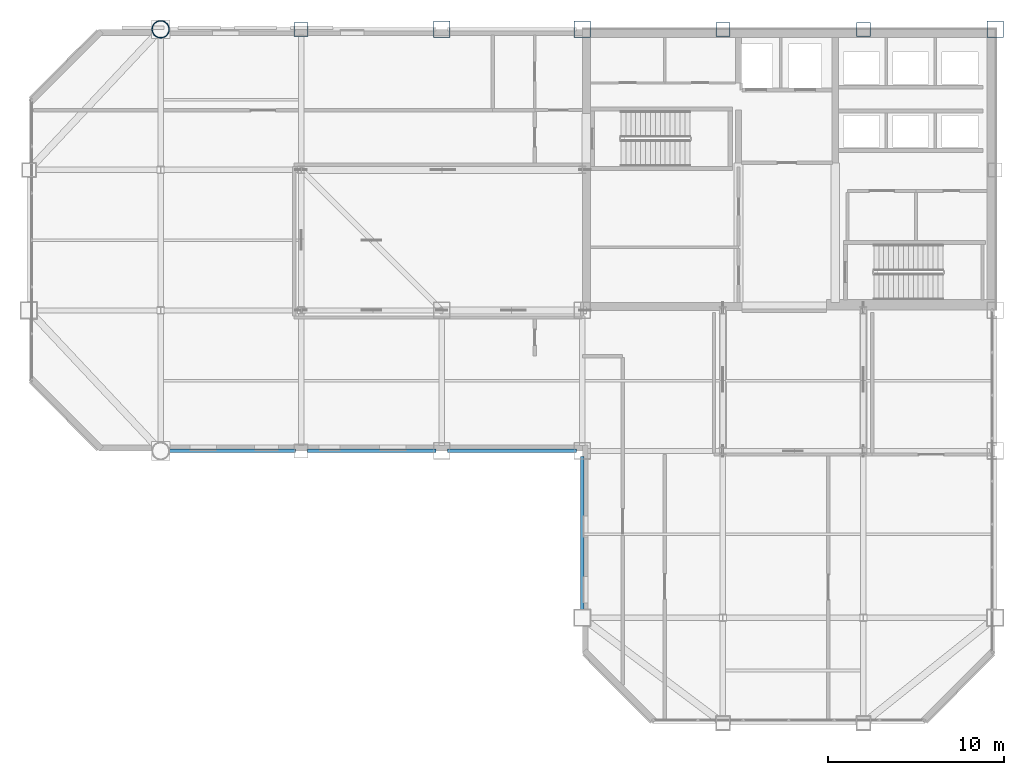
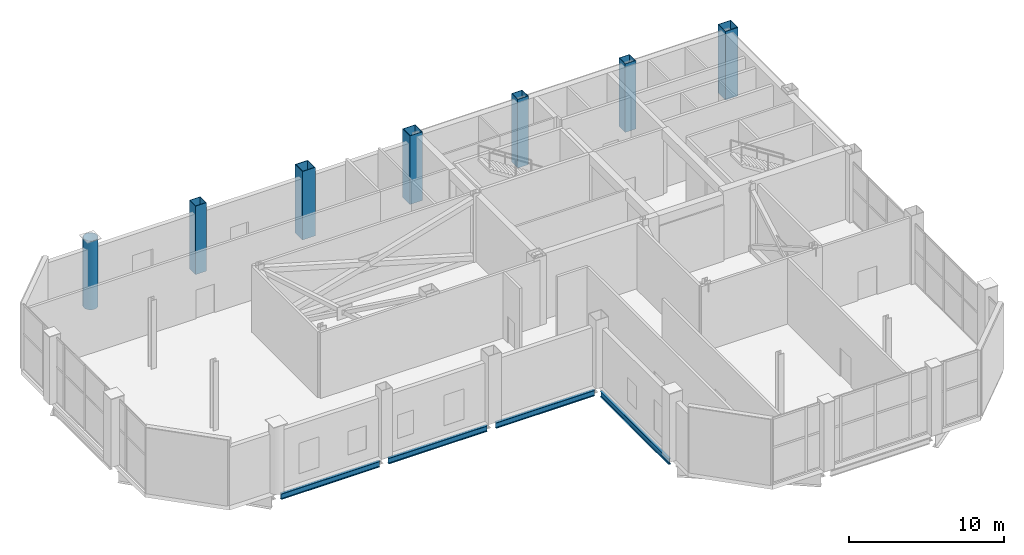
# One storey, part 3 of 23: 7 columns, 4 beams.
"""IFC4 building model written with IfcOpenShell, lengths in metres."""

from ifc_helpers import new_model, si_unit, direction, frame, origin, origin_2d, place, context, subcontext, project, spatial, hollow_rectangle, hollow_circle, i_section, extrude, material, material_profile, profile_set, type_object, element, save


model = new_model("IFC4")

# Units and contexts
model_context = context("Model", 3, precision=1e-05, world=origin(), true_north=direction((0.0, 1.0)))
body_context = subcontext(model_context, "Body", "Model", "MODEL_VIEW")
ifc_project = project(units=[si_unit("LENGTHUNIT", "METRE"), si_unit("AREAUNIT", "SQUARE_METRE"), si_unit("VOLUMEUNIT", "CUBIC_METRE"), si_unit("PLANEANGLEUNIT", "RADIAN"), si_unit("MASSUNIT", "GRAM", prefix="KILO")], contexts=[model_context])

# Site, building, storey
site_placement = place(None, origin())
site = spatial("IfcSite", under=ifc_project, at=site_placement, CompositionType="ELEMENT")
building_placement = place(site_placement, origin())
building = spatial("IfcBuilding", under=site, at=building_placement, Name="Qianrong Seaharbour Tower", CompositionType="ELEMENT")
storey_placement = place(building_placement, frame((0.0, 0.0, 281.800048828125)))
storey = spatial("IfcBuildingStorey", under=building, at=storey_placement, Name="L68", CompositionType="ELEMENT", Elevation=281.800048828125)

# Columns
ifc_material_1 = material(Name="Structural steel SN490B", Category="steel")
ifc_material_profile_1 = material_profile(ifc_material_1, hollow_rectangle(XDim=0.949951171875, YDim=0.949951171875, WallThickness=0.035888671875, at=origin_2d()), Name="BOX950x950x36")
ifc_profile_set_1 = profile_set([ifc_material_profile_1], Name="Structural steel SN490B")
column_type_1 = type_object("IfcColumnType", Name="COL-CFT-950", PredefinedType="COLUMN", material=ifc_profile_set_1)
for number, where, z_axis, x_axis, name in (
    (1, (32.5, 52.0, 0.0), (0.0, 0.0, 1.0), (1.0, 0.0, 0.0), "L68 Column MC-4 at G5/GH"),
    (2, (40.5, 52.0, 0.0), (0.0, 0.0, 1.0), (1.0, 0.0, 0.0), "L68 Column MC-4 at G6/GH"),
    (3, (64.0, 52.0, 0.0), (0.0, 0.0, 1.0), (1.0, 0.0, 0.0), "L68 Column MC-4 at G9/GH"),
):
    element("IfcColumn", number, at=place(storey_placement, frame(where, z_axis=z_axis, x_axis=x_axis)), inside=storey, type_object=column_type_1, Name=name, PredefinedType="COLUMN", context=body_context, shape_type="SweptSolid", body=[
        extrude(hollow_rectangle(XDim=0.949951171875, YDim=0.949951171875, WallThickness=0.035888671875, at=origin_2d()), origin(), (0.0, 0.0, 1.0), 5.39990234375),
    ])
ifc_material_profile_2 = material_profile(ifc_material_1, hollow_circle(Radius=0.5, WallThickness=0.035888671875, at=origin_2d()), Name="CHS1000x36")
ifc_profile_set_2 = profile_set([ifc_material_profile_2], Name="Structural steel SN490B")
column_type_2 = type_object("IfcColumnType", Name="COL-CHS-1000", PredefinedType="COLUMN", material=ifc_profile_set_2)
column_placement = place(storey_placement, frame((16.5, 52.0, 0.0), z_axis=(0.0, 0.0, 1.0), x_axis=(1.0, 0.0, 0.0)))
element("IfcColumn", 4, at=column_placement, inside=storey, type_object=column_type_2, Name="L68 Column CC-2 at G3/GH", PredefinedType="COLUMN", context=body_context, shape_type="SweptSolid", body=[
    extrude(hollow_circle(Radius=0.5, WallThickness=0.035888671875, at=origin_2d()), origin(), (0.0, 0.0, 1.0), 5.39990234375),
])
ifc_material_profile_3 = material_profile(ifc_material_1, hollow_rectangle(XDim=0.800048828125, YDim=0.800048828125, WallThickness=0.031982421875, at=origin_2d()), Name="BOX800x800x32")
ifc_profile_set_3 = profile_set([ifc_material_profile_3], Name="Structural steel SN490B")
column_type_3 = type_object("IfcColumnType", Name="COL-PER-800", PredefinedType="COLUMN", material=ifc_profile_set_3)
for number, where, z_axis, x_axis, name in (
    (5, (24.5, 52.0, 0.0), (0.0, 0.0, 1.0), (1.0, 0.0, 0.0), "L68 Column PC-3 at G4/GH"),
    (6, (48.5, 52.0, 0.0), (0.0, 0.0, 1.0), (1.0, 0.0, 0.0), "L68 Column PC-3 at G7/GH"),
    (7, (56.5, 52.0, 0.0), (0.0, 0.0, 1.0), (1.0, 0.0, 0.0), "L68 Column PC-3 at G8/GH"),
):
    element("IfcColumn", number, at=place(storey_placement, frame(where, z_axis=z_axis, x_axis=x_axis)), inside=storey, type_object=column_type_3, Name=name, PredefinedType="COLUMN", context=body_context, shape_type="SweptSolid", body=[
        extrude(hollow_rectangle(XDim=0.800048828125, YDim=0.800048828125, WallThickness=0.031982421875, at=origin_2d()), origin(), (0.0, 0.0, 1.0), 5.39990234375),
    ])

# Beams
ifc_material_2 = material(Name="Structural steel SN400B", Category="steel")
ifc_material_profile_4 = material_profile(ifc_material_2, i_section(OverallWidth=0.199951171875, OverallDepth=0.449951171875, WebThickness=0.009033203125, FlangeThickness=0.013916015625, FilletRadius=0.01806640625, at=origin_2d()), Name="H450x200x9x14")
ifc_profile_set_4 = profile_set([ifc_material_profile_4], Name="Structural steel SN400B")
beam_type = type_object("IfcBeamType", Name="BM-SP-450", PredefinedType="SPANDREL", material=ifc_profile_set_4)
for number, where, z_axis, x_axis, name in (
    (8, (16.820068359375, 28.0, -0.574951171875), (1.0, 0.0, 0.0), (0.0, 1.0, 0.0), "L68 Spandrel Girder GE G3-G4"),
    (9, (24.820068359375, 28.0, -0.574951171875), (1.0, 0.0, 0.0), (0.0, 1.0, 0.0), "L68 Spandrel Girder GE G4-G5"),
    (10, (32.820068359375, 28.0, -0.574951171875), (1.0, 0.0, 0.0), (0.0, 1.0, 0.0), "L68 Spandrel Girder GE G5-G6"),
):
    element("IfcBeam", number, at=place(storey_placement, frame(where, z_axis=z_axis, x_axis=x_axis)), inside=storey, type_object=beam_type, Name=name, PredefinedType="SPANDREL", context=body_context, shape_type="SweptSolid", body=[
        extrude(i_section(OverallWidth=0.199951171875, OverallDepth=0.449951171875, WebThickness=0.009033203125, FlangeThickness=0.013916015625, FilletRadius=0.01806640625, at=origin_2d()), origin(), (0.0, 0.0, 1.0), 7.35986328125),
    ])
beam_placement = place(storey_placement, frame((40.5, 18.820068359375, -0.574951171875), z_axis=(0.0, 1.0, 0.0), x_axis=(-1.0, 0.0, 0.0)))
element("IfcBeam", 11, at=beam_placement, inside=storey, type_object=beam_type, Name="L68 Spandrel Girder G6 GD-GE", PredefinedType="SPANDREL", context=body_context, shape_type="SweptSolid", body=[
    extrude(i_section(OverallWidth=0.199951171875, OverallDepth=0.449951171875, WebThickness=0.009033203125, FlangeThickness=0.013916015625, FilletRadius=0.01806640625, at=origin_2d()), origin(), (0.0, 0.0, 1.0), 8.85986328125),
])

save(model, "model.ifc")
